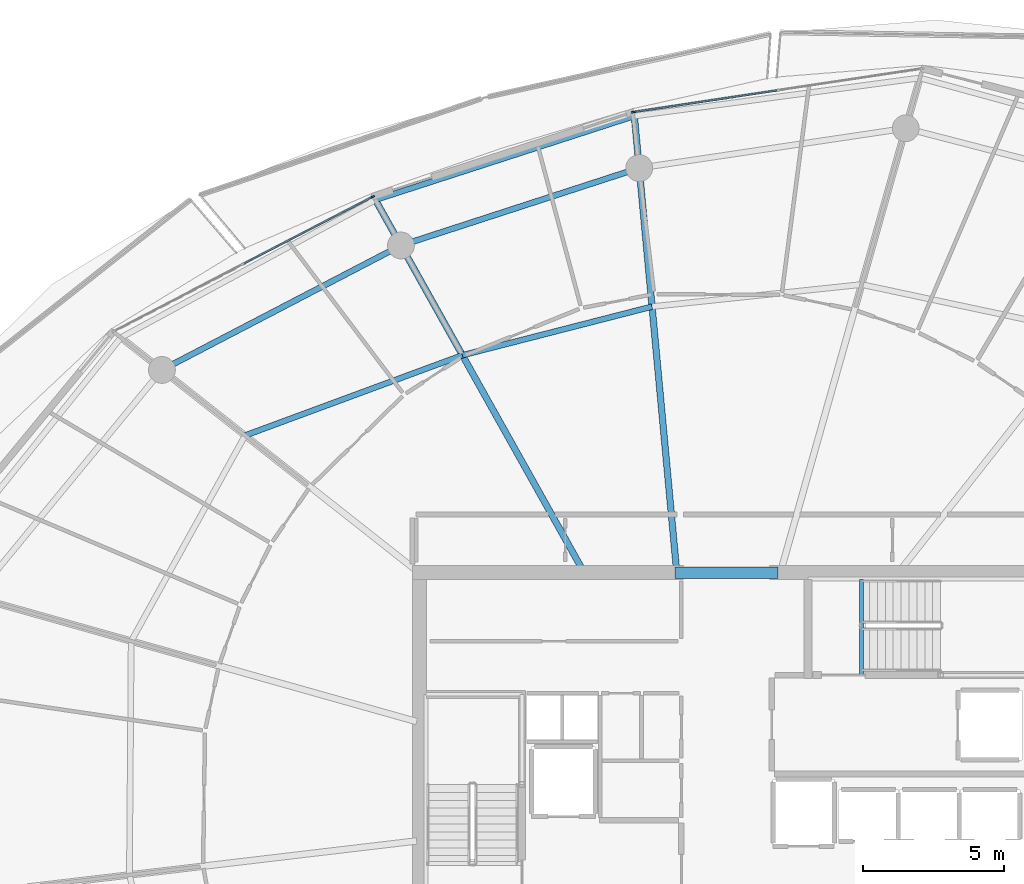
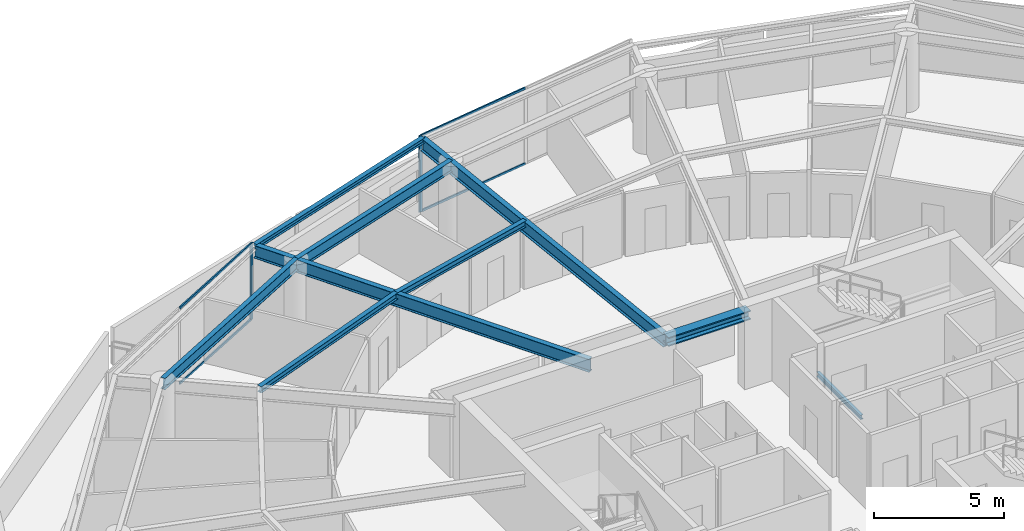
# One storey, part 13 of 30: 9 beams, 6 members, 2 elements without a shape of their own.
"""IFC4 building model written with IfcOpenShell, lengths in metres."""

from ifc_helpers import new_model, si_unit, direction, frame, origin, origin_2d, place, context, subcontext, project, spatial, rectangle, i_section, extrude, material, layer, layer_set, material_profile, profile_set, type_object, element, aggregate, save


model = new_model("IFC4")

# Units and contexts
model_context = context("Model", 3, precision=1e-05, world=origin(), true_north=direction((0.0, 1.0)))
body_context = subcontext(model_context, "Body", "Model", "MODEL_VIEW")
ifc_project = project(units=[si_unit("LENGTHUNIT", "METRE"), si_unit("AREAUNIT", "SQUARE_METRE"), si_unit("VOLUMEUNIT", "CUBIC_METRE"), si_unit("PLANEANGLEUNIT", "RADIAN"), si_unit("MASSUNIT", "GRAM", prefix="KILO")], contexts=[model_context])

# Site, building, storey
site_placement = place(None, origin())
site = spatial("IfcSite", under=ifc_project, at=site_placement, CompositionType="ELEMENT")
building_placement = place(site_placement, origin())
building = spatial("IfcBuilding", under=site, at=building_placement, Name="Kazma Halo Residences", CompositionType="ELEMENT")
storey_placement = place(building_placement, frame((0.0, 0.0, 298.300048828125)))
storey = spatial("IfcBuildingStorey", under=building, at=storey_placement, Name="L75", CompositionType="ELEMENT", Elevation=298.300048828125)

# Beams
ifc_material_1 = material(Name="Steel S355", Category="steel")
ifc_material_profile_1 = material_profile(ifc_material_1, i_section(OverallWidth=0.201904296875, OverallDepth=0.2470703125, WebThickness=0.00732421875, FlangeThickness=0.010986328125, FilletRadius=0.011962890625, at=origin_2d()), Name="W250x49.1")
ifc_profile_set_1 = profile_set([ifc_material_profile_1], Name="Steel S355")
beam_type_1 = type_object("IfcBeamType", Name="BM-BAL-CANT", PredefinedType="BEAM", material=ifc_profile_set_1)
beam_1_placement = place(storey_placement, frame((45.157470703125, 66.412841796875, 3.466552734375), z_axis=(-0.95136941054, -0.308052340826, 0.0), x_axis=(0.308052340826, -0.95136941054, 0.0)))
element("IfcBeam", 1, at=beam_1_placement, inside=storey, type_object=beam_type_1, Name="L75 wave-balcony tie beam 04", PredefinedType="BEAM", context=body_context, shape_type="SweptSolid", body=[
    extrude(i_section(OverallWidth=0.201904296875, OverallDepth=0.2470703125, WebThickness=0.00732421875, FlangeThickness=0.010986328125, FilletRadius=0.011962890625, at=origin_2d()), origin(), (0.0, 0.0, 1.0), 9.635498046875),
])
ifc_material_profile_2 = material_profile(ifc_material_1, i_section(OverallWidth=0.408935546875, OverallDepth=0.425048828125, WebThickness=0.03271484375, FlangeThickness=0.052490234375, FilletRadius=0.02001953125, at=origin_2d()), Name="W360x421")
ifc_profile_set_2 = profile_set([ifc_material_profile_2], Name="Steel S355")
beam_type_2 = type_object("IfcBeamType", Name="BM-CORE-W360H", PredefinedType="BEAM", material=ifc_profile_set_2)
beam_2_placement = place(storey_placement, frame((46.60009765625, 50.25, 3.37744140625), z_axis=(1.0, 0.0, 0.0), x_axis=(0.0, 1.0, 0.0)))
element("IfcBeam", 2, at=beam_2_placement, inside=storey, type_object=beam_type_2, Name="L75 core coupling beam N", PredefinedType="BEAM", context=body_context, shape_type="SweptSolid", body=[
    extrude(i_section(OverallWidth=0.408935546875, OverallDepth=0.425048828125, WebThickness=0.03271484375, FlangeThickness=0.052490234375, FilletRadius=0.02001953125, at=origin_2d()), origin(), (0.0, 0.0, 1.0), 3.64990234375),
])
ifc_material_profile_3 = material_profile(ifc_material_1, i_section(OverallWidth=0.22802734375, OverallDepth=0.60791015625, WebThickness=0.01123046875, FlangeThickness=0.017333984375, FilletRadius=0.01806640625, at=origin_2d()), Name="W610x113")
ifc_profile_set_3 = profile_set([ifc_material_profile_3], Name="Steel S355")
beam_type_3 = type_object("IfcBeamType", Name="BM-RAD-W610", PredefinedType="BEAM", material=ifc_profile_set_3)
beam_3_placement = place(storey_placement, frame((46.64990234375, 50.35009765625, 3.285888671875), z_axis=(-0.092514152003, 0.995711369664, 0.0), x_axis=(-0.995711369664, -0.092514152003, 0.0)))
element("IfcBeam", 3, at=beam_3_placement, inside=storey, type_object=beam_type_3, Name="L75 radial floor beam 04", PredefinedType="BEAM", context=body_context, shape_type="SweptSolid", body=[
    extrude(i_section(OverallWidth=0.22802734375, OverallDepth=0.60791015625, WebThickness=0.01123046875, FlangeThickness=0.017333984375, FilletRadius=0.01806640625, at=origin_2d()), origin(), (0.0, 0.0, 1.0), 16.1318359375),
])
beam_4_placement = place(storey_placement, frame((43.32373046875, 50.35009765625, 3.285888671875), z_axis=(-0.488620706085, 0.872496306918, 0.0), x_axis=(-0.872496306918, -0.488620706085, 0.0)))
element("IfcBeam", 4, at=beam_4_placement, inside=storey, type_object=beam_type_3, Name="L75 radial floor beam 05", PredefinedType="BEAM", context=body_context, shape_type="SweptSolid", body=[
    extrude(i_section(OverallWidth=0.22802734375, OverallDepth=0.60791015625, WebThickness=0.01123046875, FlangeThickness=0.017333984375, FilletRadius=0.01806640625, at=origin_2d()), origin(), (0.0, 0.0, 1.0), 15.008056640625),
])
ifc_material_profile_4 = material_profile(ifc_material_1, i_section(OverallWidth=0.202880859375, OverallDepth=0.302978515625, WebThickness=0.007568359375, FlangeThickness=0.01318359375, FilletRadius=0.013916015625, at=origin_2d()), Name="W310x60")
ifc_profile_set_4 = profile_set([ifc_material_profile_4], Name="Steel S355")
beam_type_4 = type_object("IfcBeamType", Name="BM-SEC-W310A", PredefinedType="JOIST", material=ifc_profile_set_4)
beam_5_placement = place(storey_placement, frame((45.7841796875, 59.66650390625, 3.4384765625), z_axis=(-0.968655607923, -0.248407554714, 0.0), x_axis=(0.248407554714, -0.968655607923, 0.0)))
element("IfcBeam", 5, at=beam_5_placement, inside=storey, type_object=beam_type_4, Name="L75 circumferential floor joist 04", PredefinedType="JOIST", context=body_context, shape_type="SweptSolid", body=[
    extrude(i_section(OverallWidth=0.202880859375, OverallDepth=0.302978515625, WebThickness=0.007568359375, FlangeThickness=0.01318359375, FilletRadius=0.013916015625, at=origin_2d()), origin(), (0.0, 0.0, 1.0), 6.930908203125),
])
beam_6_placement = place(storey_placement, frame((39.070556640625, 57.94482421875, 3.4384765625), z_axis=(-0.938068342894, -0.346450262029, 0.0), x_axis=(0.346450262029, -0.938068342894, 0.0)))
element("IfcBeam", 6, at=beam_6_placement, inside=storey, type_object=beam_type_4, Name="L75 circumferential floor joist 05", PredefinedType="JOIST", context=body_context, shape_type="SweptSolid", body=[
    extrude(i_section(OverallWidth=0.202880859375, OverallDepth=0.302978515625, WebThickness=0.007568359375, FlangeThickness=0.01318359375, FilletRadius=0.013916015625, at=origin_2d()), origin(), (0.0, 0.0, 1.0), 8.200439453125),
])
ifc_material_profile_5 = material_profile(ifc_material_1, i_section(OverallWidth=0.208984375, OverallDepth=0.532958984375, WebThickness=0.01025390625, FlangeThickness=0.015625, FilletRadius=0.01611328125, at=origin_2d()), Name="W530x92")
ifc_profile_set_5 = profile_set([ifc_material_profile_5], Name="Steel S355")
beam_type_5 = type_object("IfcBeamType", Name="BM-SPN-W530", PredefinedType="BEAM", material=ifc_profile_set_5)
beam_7_placement = place(storey_placement, frame((45.32861328125, 64.57080078125, 3.323486328125), z_axis=(-0.951053893407, -0.309025066679, 0.0), x_axis=(0.309025066679, -0.951053893407, 0.0)))
element("IfcBeam", 7, at=beam_7_placement, inside=storey, type_object=beam_type_5, Name="L75 perimeter ring beam 04", PredefinedType="BEAM", context=body_context, shape_type="SweptSolid", body=[
    extrude(i_section(OverallWidth=0.208984375, OverallDepth=0.532958984375, WebThickness=0.01025390625, FlangeThickness=0.015625, FilletRadius=0.01611328125, at=origin_2d()), origin(), (0.0, 0.0, 1.0), 8.8681640625),
])
beam_8_placement = place(storey_placement, frame((36.89453125, 61.830322265625, 3.323486328125), z_axis=(-0.886961047115, -0.461844238788, 0.0), x_axis=(0.461844238788, -0.886961047115, 0.0)))
element("IfcBeam", 8, at=beam_8_placement, inside=storey, type_object=beam_type_5, Name="L75 perimeter ring beam 05", PredefinedType="BEAM", context=body_context, shape_type="SweptSolid", body=[
    extrude(i_section(OverallWidth=0.208984375, OverallDepth=0.532958984375, WebThickness=0.01025390625, FlangeThickness=0.015625, FilletRadius=0.01611328125, at=origin_2d()), origin(), (0.0, 0.0, 1.0), 9.5390625),
])
ifc_material_profile_6 = material_profile(ifc_material_1, i_section(OverallWidth=0.133056640625, OverallDepth=0.20703125, WebThickness=0.005859375, FlangeThickness=0.00830078125, FilletRadius=0.010009765625, at=origin_2d()), Name="W200x26.6")
ifc_profile_set_6 = profile_set([ifc_material_profile_6], Name="Steel S355")
beam_type_6 = type_object("IfcBeamType", Name="BM-TRIM-W200", PredefinedType="BEAM", material=ifc_profile_set_6)
beam_9_placement = place(storey_placement, frame((53.199951171875, 46.6201171875, -0.3701171875), z_axis=(0.0, 1.0, 0.0), x_axis=(-1.0, 0.0, 0.0)))
element("IfcBeam", 9, at=beam_9_placement, inside=storey, type_object=beam_type_6, Name="L75 ST-02 floor landing support beam", PredefinedType="BEAM", context=body_context, shape_type="SweptSolid", body=[
    extrude(i_section(OverallWidth=0.133056640625, OverallDepth=0.20703125, WebThickness=0.005859375, FlangeThickness=0.00830078125, FilletRadius=0.010009765625, at=origin_2d()), origin(), (0.0, 0.0, 1.0), 3.3798828125),
])

# Curtain wall, member
ifc_material_2 = material(Name="Aluminium AW-6063 T6 and Triple-Silver Low-E Glass", Category="aluminium")
ifc_layer = layer(ifc_material_2, 0.139892578125)
ifc_layer_set = layer_set([ifc_layer], Name="Aluminium AW-6063 T6 and Triple-Silver Low-E Glass")
curtain_wall_type = type_object("IfcCurtainWallType", Name="CW-SYS-5", PredefinedType="NOTDEFINED", material=ifc_layer_set)
curtain_wall_1_placement = place(storey_placement, origin())
curtain_wall_1 = element("IfcCurtainWall", 10, at=curtain_wall_1_placement, inside=storey, type_object=curtain_wall_type, Name="L75 unitised curtain wall B03", PredefinedType="NOTDEFINED")
ifc_material_3 = material(Name="Aluminium AW-6063 T6", Category="aluminium")
ifc_material_profile_7 = material_profile(ifc_material_3, rectangle(XDim=0.06005859375, YDim=0.139892578125, at=origin_2d()), Name="CWM-60x140")
ifc_profile_set_7 = profile_set([ifc_material_profile_7], Name="Aluminium AW-6063 T6")
member_type_1 = type_object("IfcMemberType", Name="CW-SYS-5-MUL", PredefinedType="MULLION", material=ifc_profile_set_7)
member_1_placement = place(storey_placement, frame((45.124267578125, 66.552734375, 0.0), z_axis=(0.0, 0.0, 1.0), x_axis=(0.148697080374, -0.988882792998, 0.0)))
member_1 = element("IfcMember", 11, at=member_1_placement, type_object=member_type_1, Name="CWS-5 mullion 3", PredefinedType="MULLION", context=body_context, shape_type="SweptSolid", body=[
    extrude(rectangle(XDim=0.06005859375, YDim=0.139892578125, at=origin_2d()), origin(), (0.0, 0.0, 1.0), 3.58984375),
])

curtain_wall_2_placement = place(storey_placement, origin())
curtain_wall_2 = element("IfcCurtainWall", 12, at=curtain_wall_2_placement, inside=storey, type_object=curtain_wall_type, Name="L75 unitised curtain wall B05", PredefinedType="NOTDEFINED")
member_2_placement = place(storey_placement, frame((35.894775390625, 63.553955078125, 0.0), z_axis=(0.0, 0.0, 1.0), x_axis=(0.460960760804, -0.887420518694, 0.0)))
member_2 = element("IfcMember", 13, at=member_2_placement, type_object=member_type_1, Name="CWS-5 mullion 1", PredefinedType="MULLION", context=body_context, shape_type="SweptSolid", body=[
    extrude(rectangle(XDim=0.06005859375, YDim=0.139892578125, at=origin_2d()), origin(), (0.0, 0.0, 1.0), 3.58984375),
])

# Member
ifc_material_profile_8 = material_profile(ifc_material_3, rectangle(XDim=0.06005859375, YDim=0.10498046875, at=origin_2d()), Name="CWT-60x105")
ifc_profile_set_8 = profile_set([ifc_material_profile_8], Name="Aluminium AW-6063 T6")
member_type_2 = type_object("IfcMemberType", Name="CW-SYS-5-TRN", PredefinedType="USERDEFINED", material=ifc_profile_set_8)
member_3_placement = place(storey_placement, frame((50.19677734375, 67.3154296875, 0.030029296875), z_axis=(-0.988882913569, -0.148696278541, 0.0), x_axis=(0.148696278541, -0.988882913569, 0.0)))
member_3 = element("IfcMember", 14, at=member_3_placement, type_object=member_type_2, Name="CWS-5 transom 2.1", ObjectType="TRANSOM", PredefinedType="USERDEFINED", context=body_context, shape_type="SweptSolid", body=[
    extrude(rectangle(XDim=0.06005859375, YDim=0.10498046875, at=origin_2d()), origin(), (0.0, 0.0, 1.0), 5.099609375),
])

member_4_placement = place(storey_placement, frame((50.19677734375, 67.3154296875, 3.56005859375), z_axis=(-0.988882913569, -0.148696278541, 0.0), x_axis=(0.148696278541, -0.988882913569, 0.0)))
member_4 = element("IfcMember", 15, at=member_4_placement, type_object=member_type_2, Name="CWS-5 transom 2.2", ObjectType="TRANSOM", PredefinedType="USERDEFINED", context=body_context, shape_type="SweptSolid", body=[
    extrude(rectangle(XDim=0.06005859375, YDim=0.10498046875, at=origin_2d()), origin(), (0.0, 0.0, 1.0), 5.099609375),
])

aggregate(curtain_wall_1, [member_1, member_3, member_4])

member_5_placement = place(storey_placement, frame((35.8681640625, 63.5400390625, 0.030029296875), z_axis=(-0.887436955863, -0.46092911534, 0.0), x_axis=(0.46092911534, -0.887436955863, 0.0)))
member_5 = element("IfcMember", 16, at=member_5_placement, type_object=member_type_2, Name="CWS-5 transom 1.1", ObjectType="TRANSOM", PredefinedType="USERDEFINED", context=body_context, shape_type="SweptSolid", body=[
    extrude(rectangle(XDim=0.06005859375, YDim=0.10498046875, at=origin_2d()), origin(), (0.0, 0.0, 1.0), 5.099609375),
])

member_6_placement = place(storey_placement, frame((35.8681640625, 63.5400390625, 3.56005859375), z_axis=(-0.887436955863, -0.46092911534, 0.0), x_axis=(0.46092911534, -0.887436955863, 0.0)))
member_6 = element("IfcMember", 17, at=member_6_placement, type_object=member_type_2, Name="CWS-5 transom 1.2", ObjectType="TRANSOM", PredefinedType="USERDEFINED", context=body_context, shape_type="SweptSolid", body=[
    extrude(rectangle(XDim=0.06005859375, YDim=0.10498046875, at=origin_2d()), origin(), (0.0, 0.0, 1.0), 5.099609375),
])

aggregate(curtain_wall_2, [member_2, member_5, member_6])

save(model, "model.ifc")
